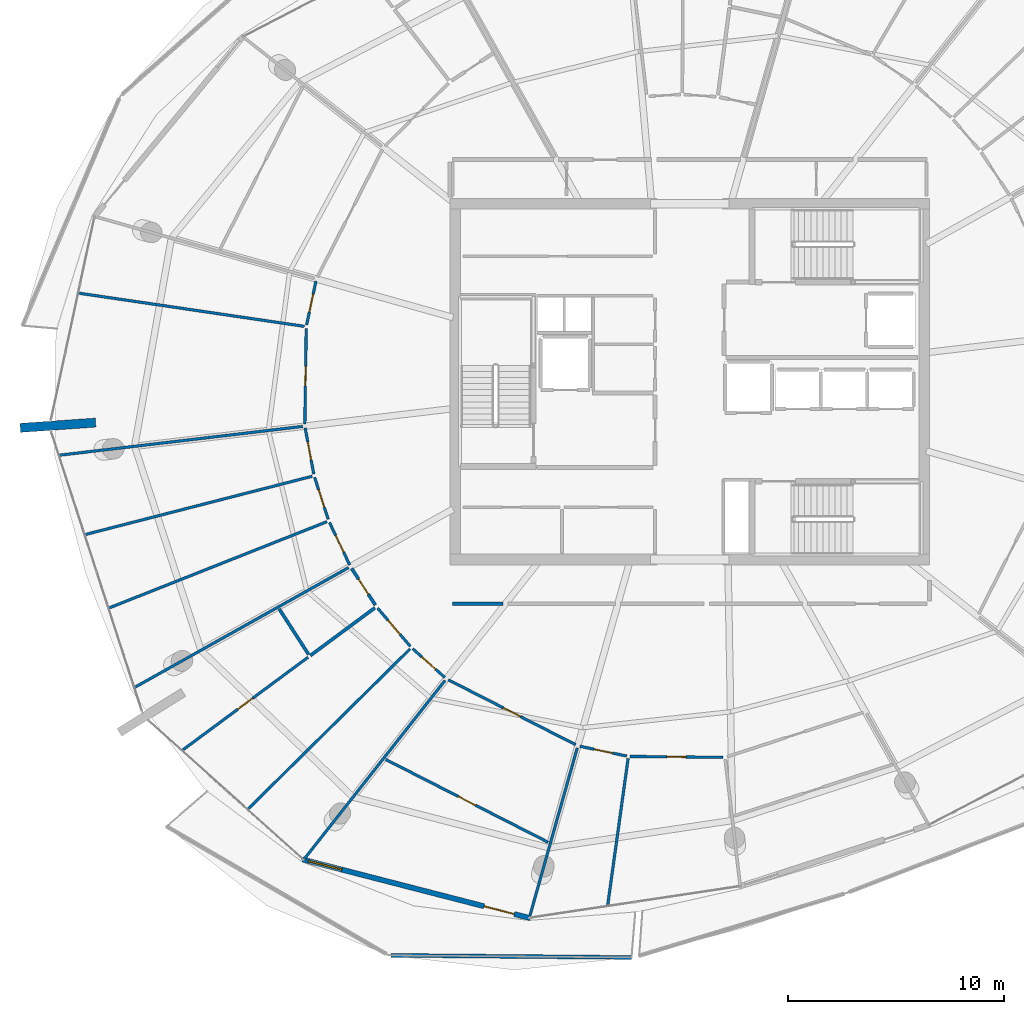
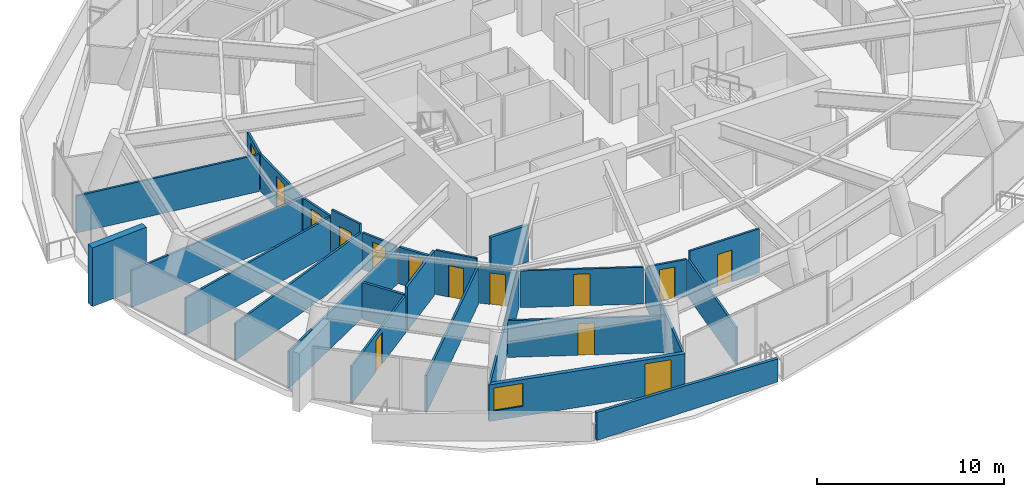
# One storey, part 16 of 27: 28 walls, 14 doors, 1 window, 15 openings.
"""IFC4 building model written with IfcOpenShell, lengths in metres."""

from ifc_helpers import new_model, si_unit, direction, frame, frame_2d, origin, place, context, subcontext, project, spatial, polyline, rectangle, outline, extrude, material, layer, layer_set, type_object, element, fill, save


model = new_model("IFC4")

# Units and contexts
model_context = context("Model", 3, precision=1e-05, world=origin(), true_north=direction((0.0, 1.0)))
body_context = subcontext(model_context, "Body", "Model", "MODEL_VIEW")
ifc_project = project(units=[si_unit("LENGTHUNIT", "METRE"), si_unit("AREAUNIT", "SQUARE_METRE"), si_unit("VOLUMEUNIT", "CUBIC_METRE"), si_unit("PLANEANGLEUNIT", "RADIAN"), si_unit("MASSUNIT", "GRAM", prefix="KILO")], contexts=[model_context])

# Site, building, storey
site_placement = place(None, origin())
site = spatial("IfcSite", under=ifc_project, at=site_placement, CompositionType="ELEMENT")
building_placement = place(site_placement, origin())
building = spatial("IfcBuilding", under=site, at=building_placement, Name="Kazma Halo Residences", CompositionType="ELEMENT")
storey_placement = place(building_placement, frame((0.0, 0.0, 306.0)))
storey = spatial("IfcBuildingStorey", under=building, at=storey_placement, Name="L77", CompositionType="ELEMENT", Elevation=306.0)

# Walls
ifc_material_1 = material(Name="White Concrete C50/60 Balustrade", Category="concrete")
ifc_layer_1 = layer(ifc_material_1, 0.179931640625)
ifc_layer_set_1 = layer_set([ifc_layer_1], Name="White Concrete C50/60 Balustrade")
wall_type_1 = type_object("IfcWallType", Name="WL-BAL-WAVE-180", PredefinedType="PARAPET", material=ifc_layer_set_1)
wall_1_placement = place(storey_placement, frame((34.564697265625, 15.39501953125, 0.0), z_axis=(0.0, 0.0, 1.0), x_axis=(0.999961589361, -0.008764690652, 0.0)))
element("IfcWall", 1, at=wall_1_placement, inside=storey, type_object=wall_type_1, Name="L77 white wave balustrade wall SW.2", PredefinedType="PARAPET", context=body_context, shape_type="SweptSolid", body=[
    extrude(outline(polyline([(0.0, 0.0), (11.169921875, 0.0), (11.169921875, 1.4970703125), (5.5849609375, 1.696044921875), (0.0, 1.83203125), (0.0, 0.0)])), frame((0.0, 0.08984375, 0.0), z_axis=(0.0, -1.0, 0.0), x_axis=(1.0, 0.0, 0.0)), (0.0, 0.0, 1.0), 0.179931640625),
])
ifc_material_2 = material(Name="Pale Concrete C60/75", Category="concrete")
ifc_layer_2 = layer(ifc_material_2, 0.419921875)
ifc_layer_set_2 = layer_set([ifc_layer_2], Name="Pale Concrete C60/75")
wall_type_2 = type_object("IfcWallType", Name="WL-BLADE-420", PredefinedType="SOLIDWALL", material=ifc_layer_set_2)
wall_2_placement = place(storey_placement, frame((20.871826171875, 40.10302734375, 0.0), z_axis=(0.0, 0.0, 1.0), x_axis=(-0.997564163539, -0.069754853754, 0.0)))
element("IfcWall", 2, at=wall_2_placement, inside=storey, type_object=wall_type_2, Name="L77 pale concrete structural blade fin wall BW-02", PredefinedType="SOLIDWALL", context=body_context, shape_type="SweptSolid", body=[
    extrude(rectangle(XDim=3.5, YDim=0.419921875, at=frame_2d((1.75, 0.0))), origin(), (0.0, 0.0, 1.0), 3.85009765625),
])
ifc_material_3 = material(Name="Acoustic Twin-Stud Gypsum")
ifc_layer_3 = layer(ifc_material_3, 0.179931640625)
ifc_layer_set_3 = layer_set([ifc_layer_3], Name="Acoustic Twin-Stud Gypsum")
wall_type_3 = type_object("IfcWallType", Name="WL-DEM-180", PredefinedType="PARTITIONING", material=ifc_layer_set_3)
wall_3_placement = place(storey_placement, frame((37.419921875, 31.699951171875, 0.0), z_axis=(0.0, 0.0, 1.0), x_axis=(1.0, 0.0, 0.0)))
element("IfcWall", 3, at=wall_3_placement, inside=storey, type_object=wall_type_3, Name="L77 Apartment 2 inner wall 8", PredefinedType="PARTITIONING", context=body_context, shape_type="SweptSolid", body=[
    extrude(rectangle(XDim=2.340087890625, YDim=0.179931640625, at=frame_2d((1.169921875, 0.0))), origin(), (0.0, 0.0, 1.0), 2.406982421875),
])

# Wall, openings, door, window
ifc_material_4 = material(Name="Insulated Pale-Metal Composite Wall")
ifc_layer_4 = layer(ifc_material_4, 0.239990234375)
ifc_layer_set_4 = layer_set([ifc_layer_4], Name="Insulated Pale-Metal Composite Wall")
wall_type_4 = type_object("IfcWallType", Name="WL-EXT-HOST-240", PredefinedType="SOLIDWALL", material=ifc_layer_set_4)
wall_4_placement = place(storey_placement, frame((30.47216796875, 19.840087890625, 0.0), z_axis=(0.0, 0.0, 1.0), x_axis=(0.968356587255, -0.249570671195, 0.0)))
wall_4 = element("IfcWall", 4, at=wall_4_placement, inside=storey, type_object=wall_type_4, Name="L77 exterior terrace-access wall B10", PredefinedType="SOLIDWALL", context=body_context, shape_type="SweptSolid", body=[
    extrude(rectangle(XDim=10.907470703125, YDim=0.239990234375, at=frame_2d((5.45361328125, 0.0))), origin(), (0.0, 0.0, 1.0), 2.39990234375),
])
opening_1_placement = place(wall_4_placement, frame((8.6875, 0.0, 0.0)))
opening_1 = element("IfcOpeningElement", 5, at=opening_1_placement, cuts=wall_4, Name="Opening DTR-1600", PredefinedType="OPENING", context=body_context, shape_type="SweptSolid", body=[
    extrude(rectangle(XDim=1.449951171875, YDim=2.14990234375, at=frame_2d((0.72509765625, 1.074951171875))), frame((0.0, 0.1298828125, 0.0), z_axis=(0.0, -1.0, 0.0), x_axis=(1.0, 0.0, 0.0)), (0.0, 0.0, 1.0), 0.260009765625),
])
opening_2_placement = place(wall_4_placement, frame((0.280029296875, 0.0, 0.64990234375)))
opening_2 = element("IfcOpeningElement", 6, at=opening_2_placement, cuts=wall_4, Name="Opening W-1800", PredefinedType="OPENING", context=body_context, shape_type="SweptSolid", body=[
    extrude(rectangle(XDim=1.60009765625, YDim=1.5, at=frame_2d((0.800048828125, 0.75))), frame((0.0, 0.1298828125, 0.0), z_axis=(0.0, -1.0, 0.0), x_axis=(1.0, 0.0, 0.0)), (0.0, 0.0, 1.0), 0.260009765625),
])
ifc_material_5 = material(Name="Aluminium AW-6063 T6 Double-Glazed Terrace Door", Category="aluminium")
door_type_1 = type_object("IfcDoorType", Name="DR-EXT-TERR-1600", OperationType="NOTDEFINED", PredefinedType="DOOR", material=ifc_material_5)
door_1_placement = place(opening_1_placement, origin())
door_1 = element("IfcDoor", 7, at=door_1_placement, inside=storey, type_object=door_type_1, Name="L77 B10 balcony terrace door", OperationType="DOUBLE_DOOR_SLIDING", OverallHeight=2.14990234375, OverallWidth=1.449951171875, PredefinedType="DOOR", context=body_context, shape_type="SweptSolid", body=[
    extrude(rectangle(XDim=1.449951171875, YDim=2.14990234375, at=frame_2d((0.72509765625, 1.074951171875))), frame((0.0, 0.02490234375, 0.0), z_axis=(0.0, -1.0, 0.0), x_axis=(1.0, 0.0, 0.0)), (0.0, 0.0, 1.0), 0.050048828125),
])
fill(opening_1, door_1)
ifc_material_6 = material(Name="Clear Triple-Silver Low-E Glass in Aluminium AW-6063 T6 Frame", Category="aluminium")
window_type = type_object("IfcWindowType", Name="WIN-RES-1800", PartitioningType="DOUBLE_PANEL_VERTICAL", PredefinedType="WINDOW", material=ifc_material_6)
window_placement = place(opening_2_placement, origin())
window = element("IfcWindow", 8, at=window_placement, inside=storey, type_object=window_type, Name="L77 B10 apartment window", OverallHeight=1.5, OverallWidth=1.60009765625, PartitioningType="SINGLE_PANEL", PredefinedType="WINDOW", context=body_context, shape_type="SweptSolid", body=[
    extrude(rectangle(XDim=1.60009765625, YDim=1.5, at=frame_2d((0.800048828125, 0.75))), frame((0.0, 0.030029296875, 0.0), z_axis=(0.0, -1.0, 0.0), x_axis=(1.0, 0.0, 0.0)), (0.0, 0.0, 1.0), 0.06005859375),
])
fill(opening_2, window)

# Wall
ifc_material_7 = material(Name="Gypsum Plasterboard Partition")
ifc_layer_5 = layer(ifc_material_7, 0.125)
ifc_layer_set_5 = layer_set([ifc_layer_5], Name="Gypsum Plasterboard Partition")
wall_type_5 = type_object("IfcWallType", Name="WL-PART-125", PredefinedType="PARTITIONING", material=ifc_layer_set_5)
wall_5_placement = place(storey_placement, frame((30.552001953125, 44.567138671875, 0.0), z_axis=(0.0, 0.0, 1.0), x_axis=(-0.989347012597, 0.145576401471, 0.0)))
element("IfcWall", 9, at=wall_5_placement, inside=storey, type_object=wall_type_5, Name="L77 Apartment 2 mid-bay wall 6", PredefinedType="PARTITIONING", context=body_context, shape_type="SweptSolid", body=[
    extrude(rectangle(XDim=10.575439453125, YDim=0.125, at=frame_2d((5.28759765625, 0.0))), origin(), (0.0, 0.0, 1.0), 2.425048828125),
])

# Wall, opening, door
wall_6_placement = place(storey_placement, frame((31.091796875, 46.664794921875, 0.0), z_axis=(0.0, 0.0, 1.0), x_axis=(-0.208863180958, -0.977944871473, 0.0)))
wall_6 = element("IfcWall", 10, at=wall_6_placement, inside=storey, type_object=wall_type_5, Name="L77 Apartment 2 North Wine Pantry Store hall wall", PredefinedType="PARTITIONING", context=body_context, shape_type="SweptSolid", body=[
    extrude(rectangle(XDim=2.078369140625, YDim=0.125, at=frame_2d((1.0390625, 0.0))), origin(), (0.0, 0.0, 1.0), 2.406982421875),
])
opening_3_placement = place(wall_6_placement, frame((0.6142578125, 0.0, 0.0)))
opening_3 = element("IfcOpeningElement", 11, at=opening_3_placement, cuts=wall_6, Name="Opening DB-900", PredefinedType="OPENING", context=body_context, shape_type="SweptSolid", body=[
    extrude(rectangle(XDim=0.85009765625, YDim=2.06005859375, at=frame_2d((0.425048828125, 1.030029296875))), frame((0.0, 0.072509765625, 0.0), z_axis=(0.0, -1.0, 0.0), x_axis=(1.0, 0.0, 0.0)), (0.0, 0.0, 1.0), 0.14501953125),
])
ifc_material_8 = material(Name="Moisture-Sealed Timber Leaf", Category="wood")
door_type_2 = type_object("IfcDoorType", Name="DR-BTH-900", OperationType="NOTDEFINED", PredefinedType="DOOR", material=ifc_material_8)
door_2_placement = place(opening_3_placement, origin())
door_2 = element("IfcDoor", 12, at=door_2_placement, inside=storey, type_object=door_type_2, Name="L77 Apartment 2 North Wine Pantry Store door", OperationType="SINGLE_SWING_RIGHT", OverallHeight=2.06005859375, OverallWidth=0.85009765625, PredefinedType="DOOR", context=body_context, shape_type="SweptSolid", body=[
    extrude(rectangle(XDim=0.85009765625, YDim=2.06005859375, at=frame_2d((0.425048828125, 1.030029296875))), frame((0.0, 0.02490234375, 0.0), z_axis=(0.0, -1.0, 0.0), x_axis=(1.0, 0.0, 0.0)), (0.0, 0.0, 1.0), 0.050048828125),
])
fill(opening_3, door_2)

wall_7_placement = place(storey_placement, frame((30.639892578125, 44.47412109375, 0.0), z_axis=(0.0, 0.0, 1.0), x_axis=(-0.014196236018, -0.999899228364, 0.0)))
wall_7 = element("IfcWall", 13, at=wall_7_placement, inside=storey, type_object=wall_type_5, Name="L77 Apartment 2 South Formal Dining Room hall wall", PredefinedType="PARTITIONING", context=body_context, shape_type="SweptSolid", body=[
    extrude(rectangle(XDim=4.43701171875, YDim=0.125, at=frame_2d((2.218505859375, 0.0))), origin(), (0.0, 0.0, 1.0), 2.406982421875),
])
opening_4_placement = place(wall_7_placement, frame((1.768310546875, 0.0, 0.0)))
opening_4 = element("IfcOpeningElement", 14, at=opening_4_placement, cuts=wall_7, Name="Opening DI-950", PredefinedType="OPENING", context=body_context, shape_type="SweptSolid", body=[
    extrude(rectangle(XDim=0.89990234375, YDim=2.080078125, at=frame_2d((0.449951171875, 1.0400390625))), frame((0.0, 0.072509765625, 0.0), z_axis=(0.0, -1.0, 0.0), x_axis=(1.0, 0.0, 0.0)), (0.0, 0.0, 1.0), 0.14501953125),
])
ifc_material_9 = material(Name="Timber Veneer Flush Leaf", Category="wood")
door_type_3 = type_object("IfcDoorType", Name="DR-INT-950", OperationType="NOTDEFINED", PredefinedType="DOOR", material=ifc_material_9)
door_3_placement = place(opening_4_placement, origin())
door_3 = element("IfcDoor", 15, at=door_3_placement, inside=storey, type_object=door_type_3, Name="L77 Apartment 2 South Formal Dining Room door", OperationType="SINGLE_SWING_LEFT", OverallHeight=2.080078125, OverallWidth=0.89990234375, PredefinedType="DOOR", context=body_context, shape_type="SweptSolid", body=[
    extrude(rectangle(XDim=0.89990234375, YDim=2.080078125, at=frame_2d((0.449951171875, 1.0400390625))), frame((0.0, 0.02490234375, 0.0), z_axis=(0.0, -1.0, 0.0), x_axis=(1.0, 0.0, 0.0)), (0.0, 0.0, 1.0), 0.050048828125),
])
fill(opening_4, door_3)

# Walls
wall_8_placement = place(storey_placement, frame((30.476318359375, 39.92578125, 0.0), z_axis=(0.0, 0.0, 1.0), x_axis=(-0.993068783977, -0.117534634433, 0.0)))
element("IfcWall", 16, at=wall_8_placement, inside=storey, type_object=wall_type_5, Name="L77 Apartment 2 radial partition 7", PredefinedType="PARTITIONING", context=body_context, shape_type="SweptSolid", body=[
    extrude(rectangle(XDim=11.35791015625, YDim=0.125, at=frame_2d((5.678955078125, 0.0))), origin(), (0.0, 0.0, 1.0), 2.406982421875),
])
for number, where, z_axis, x_axis, name in (
    (17, (30.91796875, 37.614013671875, 0.0), (0.0, 0.0, 1.0), (-0.968583288046, -0.248689392855, 0.0), "L77 Apartment 2 bay wall 1 7"),
    (18, (31.602294921875, 35.5078125, 0.0), (0.0, 0.0, 1.0), (-0.929774092635, -0.368130597294, 0.0), "L77 Apartment 2 bay wall 2 7"),
):
    element("IfcWall", number, at=place(storey_placement, frame(where, z_axis=z_axis, x_axis=x_axis)), inside=storey, type_object=wall_type_5, Name=name, PredefinedType="PARTITIONING", context=body_context, shape_type="SweptSolid", body=[
        extrude(rectangle(XDim=10.866455078125, YDim=0.125, at=frame_2d((5.43310546875, 0.0))), origin(), (0.0, 0.0, 1.0), 2.425048828125),
    ])

# Wall, opening, door
wall_9_placement = place(storey_placement, frame((30.59033203125, 39.859130859375, 0.0), z_axis=(0.0, 0.0, 1.0), x_axis=(0.183463941639, -0.983026440193, 0.0)))
wall_9 = element("IfcWall", 19, at=wall_9_placement, inside=storey, type_object=wall_type_5, Name="L77 Apartment 2 Corner Bedroom hall wall", PredefinedType="PARTITIONING", context=body_context, shape_type="SweptSolid", body=[
    extrude(rectangle(XDim=2.18115234375, YDim=0.125, at=frame_2d((1.090576171875, 0.0))), origin(), (0.0, 0.0, 1.0), 2.406982421875),
])
opening_5_placement = place(wall_9_placement, frame((0.66552734375, 0.0, 0.0)))
opening_5 = element("IfcOpeningElement", 20, at=opening_5_placement, cuts=wall_9, Name="Opening DB-900", PredefinedType="OPENING", context=body_context, shape_type="SweptSolid", body=[
    extrude(rectangle(XDim=0.85009765625, YDim=2.06005859375, at=frame_2d((0.425048828125, 1.030029296875))), frame((0.0, 0.072509765625, 0.0), z_axis=(0.0, -1.0, 0.0), x_axis=(1.0, 0.0, 0.0)), (0.0, 0.0, 1.0), 0.14501953125),
])
door_4_placement = place(opening_5_placement, origin())
door_4 = element("IfcDoor", 21, at=door_4_placement, inside=storey, type_object=door_type_2, Name="L77 Apartment 2 Corner Bedroom door", OperationType="SINGLE_SWING_RIGHT", OverallHeight=2.06005859375, OverallWidth=0.85009765625, PredefinedType="DOOR", context=body_context, shape_type="SweptSolid", body=[
    extrude(rectangle(XDim=0.85009765625, YDim=2.06005859375, at=frame_2d((0.425048828125, 1.030029296875))), frame((0.0, 0.02490234375, 0.0), z_axis=(0.0, -1.0, 0.0), x_axis=(1.0, 0.0, 0.0)), (0.0, 0.0, 1.0), 0.050048828125),
])
fill(opening_5, door_4)

wall_10_placement = place(storey_placement, frame((31.02978515625, 37.560302734375, 0.0), z_axis=(0.0, 0.0, 1.0), x_axis=(0.309086072338, -0.951034068731, 0.0)))
wall_10 = element("IfcWall", 22, at=wall_10_placement, inside=storey, type_object=wall_type_5, Name="L77 Apartment 2 Garden Study hall wall", PredefinedType="PARTITIONING", context=body_context, shape_type="SweptSolid", body=[
    extrude(rectangle(XDim=2.04345703125, YDim=0.125, at=frame_2d((1.021728515625, 0.0))), origin(), (0.0, 0.0, 1.0), 2.889892578125),
])
opening_6_placement = place(wall_10_placement, frame((0.5966796875, 0.0, 0.0)))
opening_6 = element("IfcOpeningElement", 23, at=opening_6_placement, cuts=wall_10, Name="Opening DB-900", PredefinedType="OPENING", context=body_context, shape_type="SweptSolid", body=[
    extrude(rectangle(XDim=0.85009765625, YDim=2.06005859375, at=frame_2d((0.425048828125, 1.030029296875))), frame((0.0, 0.072509765625, 0.0), z_axis=(0.0, -1.0, 0.0), x_axis=(1.0, 0.0, 0.0)), (0.0, 0.0, 1.0), 0.14501953125),
])
door_5_placement = place(opening_6_placement, origin())
door_5 = element("IfcDoor", 24, at=door_5_placement, inside=storey, type_object=door_type_2, Name="L77 Apartment 2 Garden Study door", OperationType="SINGLE_SWING_LEFT", OverallHeight=2.06005859375, OverallWidth=0.85009765625, PredefinedType="DOOR", context=body_context, shape_type="SweptSolid", body=[
    extrude(rectangle(XDim=0.85009765625, YDim=2.06005859375, at=frame_2d((0.425048828125, 1.030029296875))), frame((0.0, 0.02490234375, 0.0), z_axis=(0.0, -1.0, 0.0), x_axis=(1.0, 0.0, 0.0)), (0.0, 0.0, 1.0), 0.050048828125),
])
fill(opening_6, door_5)

wall_11_placement = place(storey_placement, frame((31.720458984375, 35.468505859375, 0.0), z_axis=(0.0, 0.0, 1.0), x_axis=(0.429438123799, -0.903096283808, 0.0)))
wall_11 = element("IfcWall", 25, at=wall_11_placement, inside=storey, type_object=wall_type_5, Name="L77 Apartment 2 Sky Bedroom hall wall", PredefinedType="PARTITIONING", context=body_context, shape_type="SweptSolid", body=[
    extrude(rectangle(XDim=2.180908203125, YDim=0.125, at=frame_2d((1.09033203125, 0.0))), origin(), (0.0, 0.0, 1.0), 2.406982421875),
])
opening_7_placement = place(wall_11_placement, frame((0.66552734375, 0.0, 0.0)))
opening_7 = element("IfcOpeningElement", 26, at=opening_7_placement, cuts=wall_11, Name="Opening DB-900", PredefinedType="OPENING", context=body_context, shape_type="SweptSolid", body=[
    extrude(rectangle(XDim=0.85009765625, YDim=2.06005859375, at=frame_2d((0.425048828125, 1.030029296875))), frame((0.0, 0.072509765625, 0.0), z_axis=(0.0, -1.0, 0.0), x_axis=(1.0, 0.0, 0.0)), (0.0, 0.0, 1.0), 0.14501953125),
])
door_6_placement = place(opening_7_placement, origin())
door_6 = element("IfcDoor", 27, at=door_6_placement, inside=storey, type_object=door_type_2, Name="L77 Apartment 2 Sky Bedroom door", OperationType="SINGLE_SWING_RIGHT", OverallHeight=2.06005859375, OverallWidth=0.85009765625, PredefinedType="DOOR", context=body_context, shape_type="SweptSolid", body=[
    extrude(rectangle(XDim=0.85009765625, YDim=2.06005859375, at=frame_2d((0.425048828125, 1.030029296875))), frame((0.0, 0.02490234375, 0.0), z_axis=(0.0, -1.0, 0.0), x_axis=(1.0, 0.0, 0.0)), (0.0, 0.0, 1.0), 0.050048828125),
])
fill(opening_7, door_6)

# Wall
wall_12_placement = place(storey_placement, frame((32.60400390625, 33.377685546875, 0.0), z_axis=(0.0, 0.0, 1.0), x_axis=(-0.8724964858, -0.488620386667, 0.0)))
element("IfcWall", 28, at=wall_12_placement, inside=storey, type_object=wall_type_5, Name="L77 Apartment 2 radial partition 8", PredefinedType="PARTITIONING", context=body_context, shape_type="SweptSolid", body=[
    extrude(rectangle(XDim=11.358154296875, YDim=0.125, at=frame_2d((5.67919921875, 0.0))), origin(), (0.0, 0.0, 1.0), 2.406982421875),
])

# Wall, opening, door
wall_13_placement = place(storey_placement, frame((30.727294921875, 29.22119140625, 0.0), z_axis=(0.0, 0.0, 1.0), x_axis=(-0.80390047313, -0.594763843304, 0.0)))
wall_13 = element("IfcWall", 29, at=wall_13_placement, inside=storey, type_object=wall_type_5, Name="L77 Apartment 2 Primary Walk-In Wardrobe partition wall", PredefinedType="PARTITIONING", context=body_context, shape_type="SweptSolid", body=[
    extrude(rectangle(XDim=7.254150390625, YDim=0.125, at=frame_2d((3.626953125, 0.0))), origin(), (0.0, 0.0, 1.0), 2.425048828125),
])
opening_8_placement = place(wall_13_placement, frame((3.201904296875, 0.0, 0.0)))
opening_8 = element("IfcOpeningElement", 30, at=opening_8_placement, cuts=wall_13, Name="Opening DB-900", PredefinedType="OPENING", context=body_context, shape_type="SweptSolid", body=[
    extrude(rectangle(XDim=0.85009765625, YDim=2.06005859375, at=frame_2d((0.425048828125, 1.030029296875))), frame((0.0, 0.072509765625, 0.0), z_axis=(0.0, -1.0, 0.0), x_axis=(1.0, 0.0, 0.0)), (0.0, 0.0, 1.0), 0.14501953125),
])
door_7_placement = place(opening_8_placement, origin())
door_7 = element("IfcDoor", 31, at=door_7_placement, inside=storey, type_object=door_type_2, Name="L77 Apartment 2 Primary Walk-In Wardrobe door", OperationType="SINGLE_SWING_LEFT", OverallHeight=2.06005859375, OverallWidth=0.85009765625, PredefinedType="DOOR", context=body_context, shape_type="SweptSolid", body=[
    extrude(rectangle(XDim=0.85009765625, YDim=2.06005859375, at=frame_2d((0.425048828125, 1.030029296875))), frame((0.0, 0.02490234375, 0.0), z_axis=(0.0, -1.0, 0.0), x_axis=(1.0, 0.0, 0.0)), (0.0, 0.0, 1.0), 0.050048828125),
])
fill(opening_8, door_7)

# Wall
wall_14_placement = place(storey_placement, frame((35.454833984375, 29.6044921875, 0.0), z_axis=(0.0, 0.0, 1.0), x_axis=(-0.711322287512, -0.702865992412, 0.0)))
element("IfcWall", 32, at=wall_14_placement, inside=storey, type_object=wall_type_5, Name="L77 Apartment 2 suite divider 8", PredefinedType="PARTITIONING", context=body_context, shape_type="SweptSolid", body=[
    extrude(rectangle(XDim=10.566650390625, YDim=0.125, at=frame_2d((5.283203125, 0.0))), origin(), (0.0, 0.0, 1.0), 2.425048828125),
])

# Wall, opening, door
wall_15_placement = place(storey_placement, frame((33.953125, 31.49609375, 0.0), z_axis=(0.0, 0.0, 1.0), x_axis=(0.650445718184, -0.759552741879, 0.0)))
wall_15 = element("IfcWall", 33, at=wall_15_placement, inside=storey, type_object=wall_type_5, Name="L77 Apartment 2 Secondary Formal Dining Room hall wall", PredefinedType="PARTITIONING", context=body_context, shape_type="SweptSolid", body=[
    extrude(rectangle(XDim=2.3271484375, YDim=0.125, at=frame_2d((1.16357421875, 0.0))), origin(), (0.0, 0.0, 1.0), 2.889892578125),
])
opening_9_placement = place(wall_15_placement, frame((0.738525390625, 0.0, 0.0)))
opening_9 = element("IfcOpeningElement", 34, at=opening_9_placement, cuts=wall_15, Name="Opening DB-900", PredefinedType="OPENING", context=body_context, shape_type="SweptSolid", body=[
    extrude(rectangle(XDim=0.85009765625, YDim=2.06005859375, at=frame_2d((0.425048828125, 1.030029296875))), frame((0.0, 0.072509765625, 0.0), z_axis=(0.0, -1.0, 0.0), x_axis=(1.0, 0.0, 0.0)), (0.0, 0.0, 1.0), 0.14501953125),
])
door_8_placement = place(opening_9_placement, origin())
door_8 = element("IfcDoor", 35, at=door_8_placement, inside=storey, type_object=door_type_2, Name="L77 Apartment 2 Secondary Formal Dining Room door", OperationType="SINGLE_SWING_RIGHT", OverallHeight=2.06005859375, OverallWidth=0.85009765625, PredefinedType="DOOR", context=body_context, shape_type="SweptSolid", body=[
    extrude(rectangle(XDim=0.85009765625, YDim=2.06005859375, at=frame_2d((0.425048828125, 1.030029296875))), frame((0.0, 0.02490234375, 0.0), z_axis=(0.0, -1.0, 0.0), x_axis=(1.0, 0.0, 0.0)), (0.0, 0.0, 1.0), 0.050048828125),
])
fill(opening_9, door_8)

wall_16_placement = place(storey_placement, frame((35.57861328125, 29.614501953125, 0.0), z_axis=(0.0, 0.0, 1.0), x_axis=(0.745430501582, -0.666583353611, 0.0)))
wall_16 = element("IfcWall", 36, at=wall_16_placement, inside=storey, type_object=wall_type_5, Name="L77 Apartment 2 East Master Bedroom hall wall", PredefinedType="PARTITIONING", context=body_context, shape_type="SweptSolid", body=[
    extrude(rectangle(XDim=1.990966796875, YDim=0.125, at=frame_2d((0.99560546875, 0.0))), origin(), (0.0, 0.0, 1.0), 2.406982421875),
])
opening_10_placement = place(wall_16_placement, frame((0.570556640625, 0.0, 0.0)))
opening_10 = element("IfcOpeningElement", 37, at=opening_10_placement, cuts=wall_16, Name="Opening DB-900", PredefinedType="OPENING", context=body_context, shape_type="SweptSolid", body=[
    extrude(rectangle(XDim=0.85009765625, YDim=2.06005859375, at=frame_2d((0.425048828125, 1.030029296875))), frame((0.0, 0.072509765625, 0.0), z_axis=(0.0, -1.0, 0.0), x_axis=(1.0, 0.0, 0.0)), (0.0, 0.0, 1.0), 0.14501953125),
])
door_9_placement = place(opening_10_placement, origin())
door_9 = element("IfcDoor", 38, at=door_9_placement, inside=storey, type_object=door_type_2, Name="L77 Apartment 2 East Master Bedroom door", OperationType="SINGLE_SWING_LEFT", OverallHeight=2.06005859375, OverallWidth=0.85009765625, PredefinedType="DOOR", context=body_context, shape_type="SweptSolid", body=[
    extrude(rectangle(XDim=0.85009765625, YDim=2.06005859375, at=frame_2d((0.425048828125, 1.030029296875))), frame((0.0, 0.02490234375, 0.0), z_axis=(0.0, -1.0, 0.0), x_axis=(1.0, 0.0, 0.0)), (0.0, 0.0, 1.0), 0.050048828125),
])
fill(opening_10, door_9)

# Wall
wall_17_placement = place(storey_placement, frame((37.075439453125, 28.142333984375, 0.0), z_axis=(0.0, 0.0, 1.0), x_axis=(-0.619089572631, -0.785320381157, 0.0)))
element("IfcWall", 39, at=wall_17_placement, inside=storey, type_object=wall_type_5, Name="L77 Apartment 2 radial partition 9", PredefinedType="PARTITIONING", context=body_context, shape_type="SweptSolid", body=[
    extrude(rectangle(XDim=10.562744140625, YDim=0.125, at=frame_2d((5.28125, 0.0))), origin(), (0.0, 0.0, 1.0), 2.406982421875),
])

# Wall, opening, door
wall_18_placement = place(storey_placement, frame((37.2353515625, 28.1708984375, 0.0), z_axis=(0.0, 0.0, 1.0), x_axis=(0.891004347404, -0.453994771894, 0.0)))
wall_18 = element("IfcWall", 40, at=wall_18_placement, inside=storey, type_object=wall_type_5, Name="L77 Apartment 2 West Study hall wall", PredefinedType="PARTITIONING", context=body_context, shape_type="SweptSolid", body=[
    extrude(rectangle(XDim=6.626220703125, YDim=0.125, at=frame_2d((3.31298828125, 0.0))), origin(), (0.0, 0.0, 1.0), 2.406982421875),
])
opening_11_placement = place(wall_18_placement, frame((2.863037109375, 0.0, 0.0)))
opening_11 = element("IfcOpeningElement", 41, at=opening_11_placement, cuts=wall_18, Name="Opening DI-950", PredefinedType="OPENING", context=body_context, shape_type="SweptSolid", body=[
    extrude(rectangle(XDim=0.89990234375, YDim=2.080078125, at=frame_2d((0.449951171875, 1.0400390625))), frame((0.0, 0.072509765625, 0.0), z_axis=(0.0, -1.0, 0.0), x_axis=(1.0, 0.0, 0.0)), (0.0, 0.0, 1.0), 0.14501953125),
])
door_10_placement = place(opening_11_placement, origin())
door_10 = element("IfcDoor", 42, at=door_10_placement, inside=storey, type_object=door_type_3, Name="L77 Apartment 2 West Study door", OperationType="SINGLE_SWING_LEFT", OverallHeight=2.080078125, OverallWidth=0.89990234375, PredefinedType="DOOR", context=body_context, shape_type="SweptSolid", body=[
    extrude(rectangle(XDim=0.89990234375, YDim=2.080078125, at=frame_2d((0.449951171875, 1.0400390625))), frame((0.0, 0.02490234375, 0.0), z_axis=(0.0, -1.0, 0.0), x_axis=(1.0, 0.0, 0.0)), (0.0, 0.0, 1.0), 0.050048828125),
])
fill(opening_11, door_10)

wall_19_placement = place(storey_placement, frame((34.32568359375, 24.47998046875, 0.0), z_axis=(0.0, 0.0, 1.0), x_axis=(0.891001834368, -0.453999703912, 0.0)))
wall_19 = element("IfcWall", 43, at=wall_19_placement, inside=storey, type_object=wall_type_5, Name="L77 Apartment 2 North Master Bedroom divider wall", PredefinedType="PARTITIONING", context=body_context, shape_type="SweptSolid", body=[
    extrude(rectangle(XDim=8.4599609375, YDim=0.125, at=frame_2d((4.22998046875, 0.0))), origin(), (0.0, 0.0, 1.0), 2.406982421875),
])
opening_12_placement = place(wall_19_placement, frame((3.780029296875, 0.0, 0.0)))
opening_12 = element("IfcOpeningElement", 44, at=opening_12_placement, cuts=wall_19, Name="Opening DI-950", PredefinedType="OPENING", context=body_context, shape_type="SweptSolid", body=[
    extrude(rectangle(XDim=0.89990234375, YDim=2.080078125, at=frame_2d((0.449951171875, 1.0400390625))), frame((0.0, 0.072509765625, 0.0), z_axis=(0.0, -1.0, 0.0), x_axis=(1.0, 0.0, 0.0)), (0.0, 0.0, 1.0), 0.14501953125),
])
door_11_placement = place(opening_12_placement, origin())
door_11 = element("IfcDoor", 45, at=door_11_placement, inside=storey, type_object=door_type_3, Name="L77 Apartment 2 North Master Bedroom door", OperationType="SINGLE_SWING_RIGHT", OverallHeight=2.080078125, OverallWidth=0.89990234375, PredefinedType="DOOR", context=body_context, shape_type="SweptSolid", body=[
    extrude(rectangle(XDim=0.89990234375, YDim=2.080078125, at=frame_2d((0.449951171875, 1.0400390625))), frame((0.0, 0.02490234375, 0.0), z_axis=(0.0, -1.0, 0.0), x_axis=(1.0, 0.0, 0.0)), (0.0, 0.0, 1.0), 0.050048828125),
])
fill(opening_12, door_11)

# Walls
wall_20_placement = place(storey_placement, frame((43.210205078125, 25.0166015625, 0.0), z_axis=(0.0, 0.0, 1.0), x_axis=(-0.271438605216, -0.962455756697, 0.0)))
element("IfcWall", 46, at=wall_20_placement, inside=storey, type_object=wall_type_5, Name="L77 Apartment 2 radial partition 10", PredefinedType="PARTITIONING", context=body_context, shape_type="SweptSolid", body=[
    extrude(rectangle(XDim=8.06884765625, YDim=0.125, at=frame_2d((4.034423828125, 0.0))), origin(), (0.0, 0.0, 1.0), 2.406982421875),
])
wall_21_placement = place(storey_placement, frame((45.56982421875, 24.5322265625, 0.0), z_axis=(0.0, 0.0, 1.0), x_axis=(-0.137772883952, -0.990463847118, 0.0)))
element("IfcWall", 47, at=wall_21_placement, inside=storey, type_object=wall_type_5, Name="L77 Apartment 2 mid-bay wall 10", PredefinedType="PARTITIONING", context=body_context, shape_type="SweptSolid", body=[
    extrude(rectangle(XDim=6.896728515625, YDim=0.125, at=frame_2d((3.4482421875, 0.0))), origin(), (0.0, 0.0, 1.0), 2.425048828125),
])

# Wall, opening, door
wall_22_placement = place(storey_placement, frame((43.335205078125, 25.09228515625, 0.0), z_axis=(0.0, 0.0, 1.0), x_axis=(0.978729440293, -0.205155264868, 0.0)))
wall_22 = element("IfcWall", 48, at=wall_22_placement, inside=storey, type_object=wall_type_5, Name="L77 Apartment 2 South Wine Pantry Store hall wall", PredefinedType="PARTITIONING", context=body_context, shape_type="SweptSolid", body=[
    extrude(rectangle(XDim=2.2158203125, YDim=0.125, at=frame_2d((1.10791015625, 0.0))), origin(), (0.0, 0.0, 1.0), 2.406982421875),
])
opening_13_placement = place(wall_22_placement, frame((0.68310546875, 0.0, 0.0)))
opening_13 = element("IfcOpeningElement", 49, at=opening_13_placement, cuts=wall_22, Name="Opening DB-900", PredefinedType="OPENING", context=body_context, shape_type="SweptSolid", body=[
    extrude(rectangle(XDim=0.85009765625, YDim=2.06005859375, at=frame_2d((0.425048828125, 1.030029296875))), frame((0.0, 0.072509765625, 0.0), z_axis=(0.0, -1.0, 0.0), x_axis=(1.0, 0.0, 0.0)), (0.0, 0.0, 1.0), 0.14501953125),
])
door_12_placement = place(opening_13_placement, origin())
door_12 = element("IfcDoor", 50, at=door_12_placement, inside=storey, type_object=door_type_2, Name="L77 Apartment 2 South Wine Pantry Store door", OperationType="SINGLE_SWING_RIGHT", OverallHeight=2.06005859375, OverallWidth=0.85009765625, PredefinedType="DOOR", context=body_context, shape_type="SweptSolid", body=[
    extrude(rectangle(XDim=0.85009765625, YDim=2.06005859375, at=frame_2d((0.425048828125, 1.030029296875))), frame((0.0, 0.02490234375, 0.0), z_axis=(0.0, -1.0, 0.0), x_axis=(1.0, 0.0, 0.0)), (0.0, 0.0, 1.0), 0.050048828125),
])
fill(opening_13, door_12)

wall_23_placement = place(storey_placement, frame((45.662353515625, 24.62060546875, 0.0), z_axis=(0.0, 0.0, 1.0), x_axis=(0.99994778271, -0.010219190421, 0.0)))
wall_23 = element("IfcWall", 51, at=wall_23_placement, inside=storey, type_object=wall_type_5, Name="L77 Apartment 2 Inner Formal Dining Room hall wall", PredefinedType="PARTITIONING", context=body_context, shape_type="SweptSolid", body=[
    extrude(rectangle(XDim=4.30029296875, YDim=0.125, at=frame_2d((2.150146484375, 0.0))), origin(), (0.0, 0.0, 1.0), 2.889892578125),
])
opening_14_placement = place(wall_23_placement, frame((1.7001953125, 0.0, 0.0)))
opening_14 = element("IfcOpeningElement", 52, at=opening_14_placement, cuts=wall_23, Name="Opening DI-950", PredefinedType="OPENING", context=body_context, shape_type="SweptSolid", body=[
    extrude(rectangle(XDim=0.89990234375, YDim=2.080078125, at=frame_2d((0.449951171875, 1.0400390625))), frame((0.0, 0.072509765625, 0.0), z_axis=(0.0, -1.0, 0.0), x_axis=(1.0, 0.0, 0.0)), (0.0, 0.0, 1.0), 0.14501953125),
])
door_13_placement = place(opening_14_placement, origin())
door_13 = element("IfcDoor", 53, at=door_13_placement, inside=storey, type_object=door_type_3, Name="L77 Apartment 2 Inner Formal Dining Room door", OperationType="SINGLE_SWING_LEFT", OverallHeight=2.080078125, OverallWidth=0.89990234375, PredefinedType="DOOR", context=body_context, shape_type="SweptSolid", body=[
    extrude(rectangle(XDim=0.89990234375, YDim=2.080078125, at=frame_2d((0.449951171875, 1.0400390625))), frame((0.0, 0.02490234375, 0.0), z_axis=(0.0, -1.0, 0.0), x_axis=(1.0, 0.0, 0.0)), (0.0, 0.0, 1.0), 0.050048828125),
])
fill(opening_14, door_13)

ifc_material_10 = material(Name="Moisture-Resistant Gypsum")
ifc_layer_6 = layer(ifc_material_10, 0.14990234375)
ifc_layer_set_6 = layer_set([ifc_layer_6], Name="Moisture-Resistant Gypsum")
wall_type_6 = type_object("IfcWallType", Name="WL-WET-150", PredefinedType="PARTITIONING", material=ifc_layer_set_6)
wall_24_placement = place(storey_placement, frame((32.74560546875, 33.3427734375, 0.0), z_axis=(0.0, 0.0, 1.0), x_axis=(0.542691857116, -0.839931871178, 0.0)))
wall_24 = element("IfcWall", 54, at=wall_24_placement, inside=storey, type_object=wall_type_6, Name="L77 Apartment 2 Gulf En-Suite Bathroom hall wall", PredefinedType="PARTITIONING", context=body_context, shape_type="SweptSolid", body=[
    extrude(rectangle(XDim=2.027099609375, YDim=0.14990234375, at=frame_2d((1.013671875, 0.0))), origin(), (0.0, 0.0, 1.0), 2.406982421875),
])
opening_15_placement = place(wall_24_placement, frame((0.588623046875, 0.0, 0.0)))
opening_15 = element("IfcOpeningElement", 55, at=opening_15_placement, cuts=wall_24, Name="Opening DB-900", PredefinedType="OPENING", context=body_context, shape_type="SweptSolid", body=[
    extrude(rectangle(XDim=0.85009765625, YDim=2.06005859375, at=frame_2d((0.425048828125, 1.030029296875))), frame((0.0, 0.0849609375, 0.0), z_axis=(0.0, -1.0, 0.0), x_axis=(1.0, 0.0, 0.0)), (0.0, 0.0, 1.0), 0.169921875),
])
door_14_placement = place(opening_15_placement, origin())
door_14 = element("IfcDoor", 56, at=door_14_placement, inside=storey, type_object=door_type_2, Name="L77 Apartment 2 Gulf En-Suite Bathroom door", OperationType="SINGLE_SWING_RIGHT", OverallHeight=2.06005859375, OverallWidth=0.85009765625, PredefinedType="DOOR", context=body_context, shape_type="SweptSolid", body=[
    extrude(rectangle(XDim=0.85009765625, YDim=2.06005859375, at=frame_2d((0.425048828125, 1.030029296875))), frame((0.0, 0.02490234375, 0.0), z_axis=(0.0, -1.0, 0.0), x_axis=(1.0, 0.0, 0.0)), (0.0, 0.0, 1.0), 0.050048828125),
])
fill(opening_15, door_14)

# Walls
wall_25_placement = place(storey_placement, frame((29.386474609375, 31.46142578125, 0.0), z_axis=(0.0, 0.0, 1.0), x_axis=(0.54276387704, -0.839885333709, 0.0)))
element("IfcWall", 57, at=wall_25_placement, inside=storey, type_object=wall_type_6, Name="L77 Apartment 2 Gulf En-Suite Bathroom back wall", PredefinedType="PARTITIONING", context=body_context, shape_type="SweptSolid", body=[
    extrude(rectangle(XDim=2.513427734375, YDim=0.14990234375, at=frame_2d((1.2568359375, 0.0))), origin(), (0.0, 0.0, 1.0), 2.406982421875),
])
wall_26_placement = place(storey_placement, frame((33.822265625, 31.510986328125, 0.0), z_axis=(0.0, 0.0, 1.0), x_axis=(-0.803912816924, -0.594747158704, 0.0)))
element("IfcWall", 58, at=wall_26_placement, inside=storey, type_object=wall_type_6, Name="L77 Apartment 2 Gulf En-Suite Bathroom side wall", PredefinedType="PARTITIONING", context=body_context, shape_type="SweptSolid", body=[
    extrude(rectangle(XDim=3.719970703125, YDim=0.14990234375, at=frame_2d((1.85986328125, 0.0))), origin(), (0.0, 0.0, 1.0), 2.889892578125),
])

save(model, "model.ifc")
